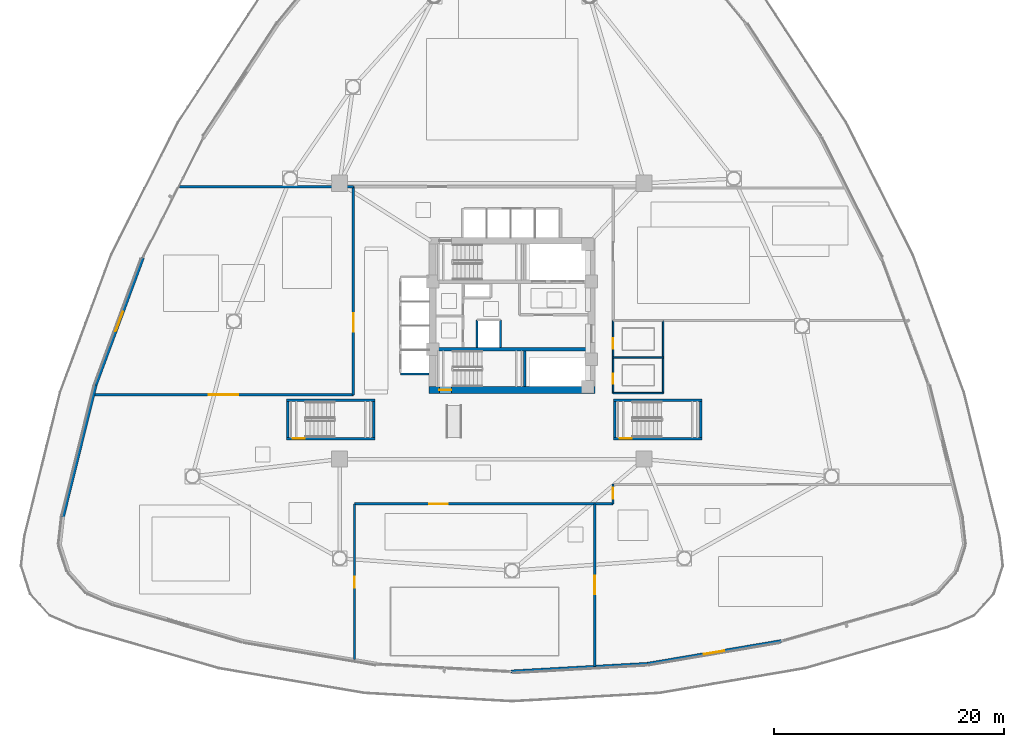
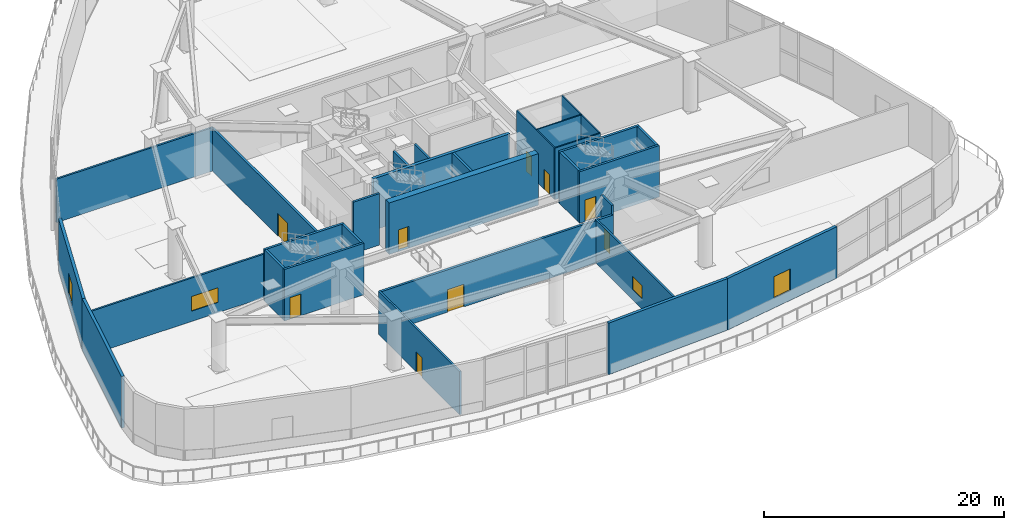
# One storey, part 13 of 26: 29 walls, 9 doors, 4 windows, 13 openings.
"""IFC4 building model written with IfcOpenShell, lengths in metres."""

from ifc_helpers import new_model, si_unit, direction, frame, frame_2d, origin, place, context, subcontext, project, spatial, rectangle, extrude, material, layer, layer_set, type_object, element, fill, save


model = new_model("IFC4")

# Units and contexts
model_context = context("Model", 3, precision=1e-05, world=origin(), true_north=direction((0.0, 1.0)))
body_context = subcontext(model_context, "Body", "Model", "MODEL_VIEW")
ifc_project = project(units=[si_unit("LENGTHUNIT", "METRE"), si_unit("AREAUNIT", "SQUARE_METRE"), si_unit("VOLUMEUNIT", "CUBIC_METRE"), si_unit("PLANEANGLEUNIT", "RADIAN"), si_unit("MASSUNIT", "GRAM", prefix="KILO")], contexts=[model_context])

# Site, building, storey
site_placement = place(None, origin())
site = spatial("IfcSite", under=ifc_project, at=site_placement, CompositionType="ELEMENT")
building_placement = place(site_placement, origin())
building = spatial("IfcBuilding", under=site, at=building_placement, Name="Tavelor Broadcast Tower", CompositionType="ELEMENT")
storey_placement = place(building_placement, frame((0.0, 0.0, 5.800048828125)))
storey = spatial("IfcBuildingStorey", under=building, at=storey_placement, Name="L01", CompositionType="ELEMENT", Elevation=5.800048828125)

# Wall, opening, door
ifc_material_1 = material(Name="Concrete C60/75", Category="concrete")
ifc_layer_1 = layer(ifc_material_1, 0.60009765625)
ifc_layer_set_1 = layer_set([ifc_layer_1], Name="Concrete C60/75")
wall_type_1 = type_object("IfcWallType", Name="Core Shear Wall 600 mm", PredefinedType="SHEAR", material=ifc_layer_set_1)
wall_1_placement = place(storey_placement, frame((42.800048828125, 38.5, 0.0), z_axis=(0.0, 0.0, 1.0), x_axis=(1.0, 0.0, 0.0)))
wall_1 = element("IfcWall", 1, at=wall_1_placement, inside=storey, type_object=wall_type_1, Name="L01 Central Core Shear Wall S", PredefinedType="SHEAR", context=body_context, shape_type="SweptSolid", body=[
    extrude(rectangle(XDim=14.39990234375, YDim=0.60009765625, at=frame_2d((7.199951171875, 0.0))), origin(), (0.0, 0.0, 1.0), 5.25),
])
opening_1_placement = place(wall_1_placement, frame((0.8798828125, 0.0, 0.0)))
opening_1 = element("IfcOpeningElement", 2, at=opening_1_placement, cuts=wall_1, Name="Opening DR11", PredefinedType="OPENING", context=body_context, shape_type="SweptSolid", body=[
    extrude(rectangle(XDim=1.050048828125, YDim=2.199951171875, at=frame_2d((0.52490234375, 1.10009765625))), frame((0.0, 0.31005859375, 0.0), z_axis=(0.0, -1.0, 0.0), x_axis=(1.0, 0.0, 0.0)), (0.0, 0.0, 1.0), 0.6201171875),
])
ifc_material_2 = material(Name="Steel S355", Category="steel")
door_type_1 = type_object("IfcDoorType", Name="Stair Core Fire Escape Door 1050x2200", OperationType="NOTDEFINED", PredefinedType="DOOR", material=ifc_material_2)
door_1_placement = place(opening_1_placement, origin())
door_1 = element("IfcDoor", 3, at=door_1_placement, inside=storey, type_object=door_type_1, Name="L01 Stair ST2 Protected Exit Door", OperationType="SINGLE_SWING_RIGHT", OverallHeight=2.199951171875, OverallWidth=1.050048828125, PredefinedType="DOOR", context=body_context, shape_type="SweptSolid", body=[
    extrude(rectangle(XDim=1.050048828125, YDim=2.199951171875, at=frame_2d((0.52490234375, 1.10009765625))), frame((0.0, 0.02490234375, 0.0), z_axis=(0.0, -1.0, 0.0), x_axis=(1.0, 0.0, 0.0)), (0.0, 0.0, 1.0), 0.050048828125),
])
fill(opening_1, door_1)

# Wall
ifc_layer_2 = layer(ifc_material_1, 0.300048828125)
ifc_layer_set_2 = layer_set([ifc_layer_2], Name="Concrete C60/75")
wall_type_2 = type_object("IfcWallType", Name="Core Spine Shear Wall 300 mm C60", PredefinedType="SHEAR", material=ifc_layer_set_2)
wall_2_placement = place(storey_placement, frame((43.39990234375, 42.050048828125, 0.0), z_axis=(0.0, 0.0, 1.0), x_axis=(1.0, 0.0, 0.0)))
element("IfcWall", 4, at=wall_2_placement, inside=storey, type_object=wall_type_2, Name="L01 Central Core Shear Wall SP2", PredefinedType="SHEAR", context=body_context, shape_type="SweptSolid", body=[
    extrude(rectangle(XDim=13.2001953125, YDim=0.300048828125, at=frame_2d((6.60009765625, 0.0))), origin(), (0.0, 0.0, 1.0), 5.25),
])

# Wall, opening, door
ifc_material_3 = material(Name="Calcium Silicate Fire Board 180 mm", Category="gypsum")
ifc_layer_3 = layer(ifc_material_3, 0.179931640625)
ifc_layer_set_3 = layer_set([ifc_layer_3], Name="Calcium Silicate Fire Board 180 mm")
wall_type_3 = type_object("IfcWallType", Name="Fire-Rated Corridor Partition Wall 180 mm", PredefinedType="PARTITIONING", material=ifc_layer_set_3)
wall_3_placement = place(storey_placement, frame((36.300048828125, 15.05908203125, 0.0), z_axis=(0.0, 0.0, 1.0), x_axis=(0.0, 1.0, 0.0)))
wall_3 = element("IfcWall", 5, at=wall_3_placement, inside=storey, type_object=wall_type_3, Name="L01 South-West Wing Wall", PredefinedType="PARTITIONING", context=body_context, shape_type="SweptSolid", body=[
    extrude(rectangle(XDim=13.541015625, YDim=0.179931640625, at=frame_2d((6.7705078125, 0.0))), origin(), (0.0, 0.0, 1.0), 4.425048828125),
])
opening_2_placement = place(wall_3_placement, frame((6.27001953125, 0.0, 0.0)))
opening_2 = element("IfcOpeningElement", 6, at=opening_2_placement, cuts=wall_3, Name="Opening DR18", PredefinedType="OPENING", context=body_context, shape_type="SweptSolid", body=[
    extrude(rectangle(XDim=0.949951171875, YDim=2.050048828125, at=frame_2d((0.47509765625, 1.02490234375))), frame((0.0, 0.10009765625, 0.0), z_axis=(0.0, -1.0, 0.0), x_axis=(1.0, 0.0, 0.0)), (0.0, 0.0, 1.0), 0.199951171875),
])
ifc_material_4 = material(Name="Timber Solid Core Hardwood", Category="wood")
door_type_2 = type_object("IfcDoorType", Name="Corridor Rated Compartment Door 950x2050", OperationType="NOTDEFINED", PredefinedType="DOOR", material=ifc_material_4)
door_2_placement = place(opening_2_placement, origin())
door_2 = element("IfcDoor", 7, at=door_2_placement, inside=storey, type_object=door_type_2, Name="L01 Satellite Ingest Technical Room Door", OperationType="SINGLE_SWING_RIGHT", OverallHeight=2.050048828125, OverallWidth=0.949951171875, PredefinedType="DOOR", context=body_context, shape_type="SweptSolid", body=[
    extrude(rectangle(XDim=0.949951171875, YDim=2.050048828125, at=frame_2d((0.47509765625, 1.02490234375))), frame((0.0, 0.02490234375, 0.0), z_axis=(0.0, -1.0, 0.0), x_axis=(1.0, 0.0, 0.0)), (0.0, 0.0, 1.0), 0.050048828125),
])
fill(opening_2, door_2)

wall_4_placement = place(storey_placement, frame((58.800048828125, 28.60009765625, 0.0), z_axis=(0.0, 0.0, 1.0), x_axis=(0.0, 1.0, 0.0)))
wall_4 = element("IfcWall", 8, at=wall_4_placement, inside=storey, type_object=wall_type_3, Name="L01 South-East Concourse Door Wall", PredefinedType="PARTITIONING", context=body_context, shape_type="SweptSolid", body=[
    extrude(rectangle(XDim=1.75, YDim=0.179931640625, at=frame_2d((0.875, 0.0))), origin(), (0.0, 0.0, 1.0), 5.25),
])
opening_3_placement = place(wall_4_placement, frame((0.449951171875, 0.0, 0.0)))
opening_3 = element("IfcOpeningElement", 9, at=opening_3_placement, cuts=wall_4, Name="Opening DR18", PredefinedType="OPENING", context=body_context, shape_type="SweptSolid", body=[
    extrude(rectangle(XDim=0.949951171875, YDim=2.050048828125, at=frame_2d((0.47509765625, 1.02490234375))), frame((0.0, 0.10009765625, 0.0), z_axis=(0.0, -1.0, 0.0), x_axis=(1.0, 0.0, 0.0)), (0.0, 0.0, 1.0), 0.199951171875),
])
door_3_placement = place(opening_3_placement, origin())
door_3 = element("IfcDoor", 10, at=door_3_placement, inside=storey, type_object=door_type_2, Name="L01 Line Producer Office Concourse Door", OperationType="SINGLE_SWING_LEFT", OverallHeight=2.050048828125, OverallWidth=0.949951171875, PredefinedType="DOOR", context=body_context, shape_type="SweptSolid", body=[
    extrude(rectangle(XDim=0.949951171875, YDim=2.050048828125, at=frame_2d((0.47509765625, 1.02490234375))), frame((0.0, 0.02490234375, 0.0), z_axis=(0.0, -1.0, 0.0), x_axis=(1.0, 0.0, 0.0)), (0.0, 0.0, 1.0), 0.050048828125),
])
fill(opening_3, door_3)

# Wall, opening, window
wall_5_placement = place(storey_placement, frame((57.199951171875, 14.472412109375, 0.0), z_axis=(0.0, 0.0, 1.0), x_axis=(0.0, 1.0, 0.0)))
wall_5 = element("IfcWall", 11, at=wall_5_placement, inside=storey, type_object=wall_type_3, Name="L01 South-East Wing West Wall", PredefinedType="PARTITIONING", context=body_context, shape_type="SweptSolid", body=[
    extrude(rectangle(XDim=14.127685546875, YDim=0.179931640625, at=frame_2d((7.06396484375, 0.0))), origin(), (0.0, 0.0, 1.0), 4.425048828125),
])
opening_4_placement = place(wall_5_placement, frame((6.263916015625, 0.0, 1.050048828125)))
opening_4 = element("IfcOpeningElement", 12, at=opening_4_placement, cuts=wall_5, Name="Opening WN05", PredefinedType="OPENING", context=body_context, shape_type="SweptSolid", body=[
    extrude(rectangle(XDim=1.60009765625, YDim=1.35009765625, at=frame_2d((0.800048828125, 0.675048828125))), frame((0.0, 0.10009765625, 0.0), z_axis=(0.0, -1.0, 0.0), x_axis=(1.0, 0.0, 0.0)), (0.0, 0.0, 1.0), 0.199951171875),
])
ifc_material_5 = material(Name="Acoustic Double Glazing 28 mm", Category="glass")
window_type_1 = type_object("IfcWindowType", Name="Audio Booth Acoustic Observation Window 1600x1350", PartitioningType="SINGLE_PANEL", PredefinedType="WINDOW", material=ifc_material_5)
window_1_placement = place(opening_4_placement, origin())
window_1 = element("IfcWindow", 13, at=window_1_placement, inside=storey, type_object=window_type_1, Name="L01 Studio Acoustic Observation Window 008", OverallHeight=1.35009765625, OverallWidth=1.60009765625, PartitioningType="SINGLE_PANEL", PredefinedType="WINDOW", context=body_context, shape_type="SweptSolid", body=[
    extrude(rectangle(XDim=1.60009765625, YDim=1.35009765625, at=frame_2d((0.800048828125, 0.675048828125))), frame((0.0, 0.030029296875, 0.0), z_axis=(0.0, -1.0, 0.0), x_axis=(1.0, 0.0, 0.0)), (0.0, 0.0, 1.0), 0.06005859375),
])
fill(opening_4, window_1)

wall_6_placement = place(storey_placement, frame((13.609375, 38.10009765625, 0.0), z_axis=(0.0, 0.0, 1.0), x_axis=(1.0, 0.0, 0.0)))
wall_6 = element("IfcWall", 14, at=wall_6_placement, inside=storey, type_object=wall_type_3, Name="L01 West Hall South Wall", PredefinedType="PARTITIONING", context=body_context, shape_type="SweptSolid", body=[
    extrude(rectangle(XDim=22.590576171875, YDim=0.179931640625, at=frame_2d((11.29541015625, 0.0))), origin(), (0.0, 0.0, 1.0), 4.425048828125),
])
opening_5_placement = place(wall_6_placement, frame((9.995361328125, 0.0, 1.050048828125)))
opening_5 = element("IfcOpeningElement", 15, at=opening_5_placement, cuts=wall_6, Name="Opening WN04", PredefinedType="OPENING", context=body_context, shape_type="SweptSolid", body=[
    extrude(rectangle(XDim=2.60009765625, YDim=1.5, at=frame_2d((1.300048828125, 0.75))), frame((0.0, 0.10009765625, 0.0), z_axis=(0.0, -1.0, 0.0), x_axis=(1.0, 0.0, 0.0)), (0.0, 0.0, 1.0), 0.199951171875),
])
window_type_2 = type_object("IfcWindowType", Name="Studio Control Gallery Triple-Glazed Observation Window 2600x1500", PartitioningType="SINGLE_PANEL", PredefinedType="WINDOW", material=ifc_material_5)
window_2_placement = place(opening_5_placement, origin())
window_2 = element("IfcWindow", 16, at=window_2_placement, inside=storey, type_object=window_type_2, Name="L01 Studio Acoustic Observation Window 009", OverallHeight=1.5, OverallWidth=2.60009765625, PartitioningType="SINGLE_PANEL", PredefinedType="WINDOW", context=body_context, shape_type="SweptSolid", body=[
    extrude(rectangle(XDim=2.60009765625, YDim=1.5, at=frame_2d((1.300048828125, 0.75))), frame((0.0, 0.030029296875, 0.0), z_axis=(0.0, -1.0, 0.0), x_axis=(1.0, 0.0, 0.0)), (0.0, 0.0, 1.0), 0.06005859375),
])
fill(opening_5, window_2)

# Wall
wall_7_placement = place(storey_placement, frame((21.05859375, 56.199951171875, 0.0), z_axis=(0.0, 0.0, 1.0), x_axis=(1.0, 0.0, 0.0)))
element("IfcWall", 17, at=wall_7_placement, inside=storey, type_object=wall_type_3, Name="L01 West Hall North Wall", PredefinedType="PARTITIONING", context=body_context, shape_type="SweptSolid", body=[
    extrude(rectangle(XDim=15.141357421875, YDim=0.179931640625, at=frame_2d((7.57080078125, 0.0))), origin(), (0.0, 0.0, 1.0), 4.425048828125),
])

# Wall, opening, window
ifc_material_6 = material(Name="Precast Concrete C40/50", Category="concrete")
ifc_layer_4 = layer(ifc_material_6, 0.280029296875)
ifc_layer_set_4 = layer_set([ifc_layer_4], Name="Precast Concrete C40/50")
wall_type_4 = type_object("IfcWallType", Name="Insulated Precast Terracotta Facade Wall 280 mm", PredefinedType="STANDARD", material=ifc_layer_set_4)
wall_8_placement = place(storey_placement, frame((17.8955078125, 50.041015625, 0.0), z_axis=(0.0, 0.0, 1.0), x_axis=(-0.347786696803, -0.937573684319, 0.0)))
wall_8 = element("IfcWall", 18, at=wall_8_placement, inside=storey, type_object=wall_type_4, Name="L01 Precast Terracotta Facade Wall 09", PredefinedType="STANDARD", context=body_context, shape_type="SweptSolid", body=[
    extrude(rectangle(XDim=11.866943359375, YDim=0.280029296875, at=frame_2d((5.93359375, 0.0))), origin(), (0.0, 0.0, 1.0), 5.25),
])
opening_6_placement = place(wall_8_placement, frame((5.03369140625, 0.0, 1.0)))
opening_6 = element("IfcOpeningElement", 19, at=opening_6_placement, cuts=wall_8, Name="Opening WN11", PredefinedType="OPENING", context=body_context, shape_type="SweptSolid", body=[
    extrude(rectangle(XDim=1.800048828125, YDim=2.199951171875, at=frame_2d((0.89990234375, 1.10009765625))), frame((0.0, 0.14990234375, 0.0), z_axis=(0.0, -1.0, 0.0), x_axis=(1.0, 0.0, 0.0)), (0.0, 0.0, 1.0), 0.300048828125),
])
window_type_3 = type_object("IfcWindowType", Name="Podium Studio Acoustic Punched Window 1800x2200", PartitioningType="SINGLE_PANEL", PredefinedType="WINDOW", material=ifc_material_5)
window_3_placement = place(opening_6_placement, origin())
window_3 = element("IfcWindow", 20, at=window_3_placement, inside=storey, type_object=window_type_3, Name="L01 Broadcast Facade Window 09", OverallHeight=2.199951171875, OverallWidth=1.800048828125, PartitioningType="SINGLE_PANEL", PredefinedType="WINDOW", context=body_context, shape_type="SweptSolid", body=[
    extrude(rectangle(XDim=1.800048828125, YDim=2.199951171875, at=frame_2d((0.89990234375, 1.10009765625))), frame((0.0, 0.030029296875, 0.0), z_axis=(0.0, -1.0, 0.0), x_axis=(1.0, 0.0, 0.0)), (0.0, 0.0, 1.0), 0.06005859375),
])
fill(opening_6, window_3)

# Walls
wall_9_placement = place(storey_placement, frame((13.777099609375, 38.943359375, 0.0), z_axis=(0.0, 0.0, 1.0), x_axis=(-0.240569487488, -0.970631918747, 0.0)))
element("IfcWall", 21, at=wall_9_placement, inside=storey, type_object=wall_type_4, Name="L01 Precast Terracotta Facade Wall 10", PredefinedType="STANDARD", context=body_context, shape_type="SweptSolid", body=[
    extrude(rectangle(XDim=11.806640625, YDim=0.280029296875, at=frame_2d((5.9033203125, 0.0))), origin(), (0.0, 0.0, 1.0), 5.25),
])
wall_10_placement = place(storey_placement, frame((49.926025390625, 14.023681640625, 0.0), z_axis=(0.0, 0.0, 1.0), x_axis=(0.998425020705, 0.056102388813, 0.0)))
element("IfcWall", 22, at=wall_10_placement, inside=storey, type_object=wall_type_4, Name="L01 Precast Terracotta Facade Wall 18", PredefinedType="STANDARD", context=body_context, shape_type="SweptSolid", body=[
    extrude(rectangle(XDim=11.8671875, YDim=0.280029296875, at=frame_2d((5.93359375, 0.0))), origin(), (0.0, 0.0, 1.0), 5.25),
])

# Wall, opening, window
wall_11_placement = place(storey_placement, frame((61.74462890625, 14.68603515625, 0.0), z_axis=(0.0, 0.0, 1.0), x_axis=(0.985857206306, 0.16758749588, 0.0)))
wall_11 = element("IfcWall", 23, at=wall_11_placement, inside=storey, type_object=wall_type_4, Name="L01 Precast Terracotta Facade Wall 19", PredefinedType="STANDARD", context=body_context, shape_type="SweptSolid", body=[
    extrude(rectangle(XDim=11.866943359375, YDim=0.280029296875, at=frame_2d((5.93359375, 0.0))), origin(), (0.0, 0.0, 1.0), 5.25),
])
opening_7_placement = place(wall_11_placement, frame((5.033447265625, 0.0, 1.0)))
opening_7 = element("IfcOpeningElement", 24, at=opening_7_placement, cuts=wall_11, Name="Opening WN11", PredefinedType="OPENING", context=body_context, shape_type="SweptSolid", body=[
    extrude(rectangle(XDim=1.800048828125, YDim=2.199951171875, at=frame_2d((0.89990234375, 1.10009765625))), frame((0.0, 0.14990234375, 0.0), z_axis=(0.0, -1.0, 0.0), x_axis=(1.0, 0.0, 0.0)), (0.0, 0.0, 1.0), 0.300048828125),
])
window_4_placement = place(opening_7_placement, origin())
window_4 = element("IfcWindow", 25, at=window_4_placement, inside=storey, type_object=window_type_3, Name="L01 Broadcast Facade Window 19", OverallHeight=2.199951171875, OverallWidth=1.800048828125, PartitioningType="SINGLE_PANEL", PredefinedType="WINDOW", context=body_context, shape_type="SweptSolid", body=[
    extrude(rectangle(XDim=1.800048828125, YDim=2.199951171875, at=frame_2d((0.89990234375, 1.10009765625))), frame((0.0, 0.030029296875, 0.0), z_axis=(0.0, -1.0, 0.0), x_axis=(1.0, 0.0, 0.0)), (0.0, 0.0, 1.0), 0.06005859375),
])
fill(opening_7, window_4)

# Walls
ifc_material_7 = material(Name="Concrete Blockwork 200 mm", Category="masonry")
ifc_layer_5 = layer(ifc_material_7, 0.199951171875)
ifc_layer_set_5 = layer_set([ifc_layer_5], Name="Concrete Blockwork 200 mm")
wall_type_5 = type_object("IfcWallType", Name="Lift Hoistway Rated Front Wall 200 mm", PredefinedType="PARTITIONING", material=ifc_layer_set_5)
wall_12_placement = place(storey_placement, frame((49.0, 42.199951171875, 0.0), z_axis=(0.0, 0.0, 1.0), x_axis=(0.0, 1.0, 0.0)))
element("IfcWall", 26, at=wall_12_placement, inside=storey, type_object=wall_type_5, Name="L01 Mid-Rise Lift PLM4 Hoistway Front Wall", PredefinedType="PARTITIONING", context=body_context, shape_type="SweptSolid", body=[
    extrude(rectangle(XDim=2.400146484375, YDim=0.199951171875, at=frame_2d((1.2001953125, 0.0))), origin(), (0.0, 0.0, 1.0), 5.25),
])
ifc_layer_6 = layer(ifc_material_7, 0.199951171875)
ifc_layer_set_6 = layer_set([ifc_layer_6], Name="Concrete Blockwork 200 mm")
wall_type_6 = type_object("IfcWallType", Name="Lift and Riser Shaft Enclosure Wall 200 mm", PredefinedType="PARTITIONING", material=ifc_layer_set_6)
wall_13_placement = place(storey_placement, frame((40.300048828125, 39.89990234375, 0.0), z_axis=(0.0, 0.0, 1.0), x_axis=(1.0, 0.0, 0.0)))
element("IfcWall", 27, at=wall_13_placement, inside=storey, type_object=wall_type_6, Name="L01 Low-Rise Lift Shaft South Wall", PredefinedType="PARTITIONING", context=body_context, shape_type="SweptSolid", body=[
    extrude(rectangle(XDim=2.5, YDim=0.199951171875, at=frame_2d((1.25, 0.0))), origin(), (0.0, 0.0, 1.0), 5.25),
])
wall_14_placement = place(storey_placement, frame((46.949951171875, 42.199951171875, 0.0), z_axis=(0.0, 0.0, 1.0), x_axis=(0.0, 1.0, 0.0)))
element("IfcWall", 28, at=wall_14_placement, inside=storey, type_object=wall_type_6, Name="L01 Mid-Rise Lift PLM4 West Wall", PredefinedType="PARTITIONING", context=body_context, shape_type="SweptSolid", body=[
    extrude(rectangle(XDim=2.400146484375, YDim=0.199951171875, at=frame_2d((1.2001953125, 0.0))), origin(), (0.0, 0.0, 1.0), 5.25),
])

# Wall, openings, doors
ifc_material_8 = material(Name="Moisture-Resistant Plasterboard 120 mm", Category="gypsum")
ifc_layer_7 = layer(ifc_material_8, 0.1201171875)
ifc_layer_set_7 = layer_set([ifc_layer_7], Name="Moisture-Resistant Plasterboard 120 mm")
wall_type_7 = type_object("IfcWallType", Name="Moisture-Resistant Wet-Room Partition 120 mm", PredefinedType="PARTITIONING", material=ifc_layer_set_7)
wall_15_placement = place(storey_placement, frame((58.800048828125, 38.25, 0.0), z_axis=(0.0, 0.0, 1.0), x_axis=(0.0, 1.0, 0.0)))
wall_15 = element("IfcWall", 29, at=wall_15_placement, inside=storey, type_object=wall_type_7, Name="L01 Podium WC West Wall", PredefinedType="PARTITIONING", context=body_context, shape_type="SweptSolid", body=[
    extrude(rectangle(XDim=6.300048828125, YDim=0.1201171875, at=frame_2d((3.14990234375, 0.0))), origin(), (0.0, 0.0, 1.0), 5.25),
])
opening_8_placement = place(wall_15_placement, frame((0.800048828125, 0.0, 0.0)))
opening_8 = element("IfcOpeningElement", 30, at=opening_8_placement, cuts=wall_15, Name="Opening DR32", PredefinedType="OPENING", context=body_context, shape_type="SweptSolid", body=[
    extrude(rectangle(XDim=0.89990234375, YDim=2.050048828125, at=frame_2d((0.449951171875, 1.02490234375))), frame((0.0, 0.070068359375, 0.0), z_axis=(0.0, -1.0, 0.0), x_axis=(1.0, 0.0, 0.0)), (0.0, 0.0, 1.0), 0.14013671875),
])
opening_9_placement = place(wall_15_placement, frame((3.85009765625, 0.0, 0.0)))
opening_9 = element("IfcOpeningElement", 31, at=opening_9_placement, cuts=wall_15, Name="Opening DR32", PredefinedType="OPENING", context=body_context, shape_type="SweptSolid", body=[
    extrude(rectangle(XDim=0.89990234375, YDim=2.050048828125, at=frame_2d((0.449951171875, 1.02490234375))), frame((0.0, 0.070068359375, 0.0), z_axis=(0.0, -1.0, 0.0), x_axis=(1.0, 0.0, 0.0)), (0.0, 0.0, 1.0), 0.14013671875),
])
door_type_3 = type_object("IfcDoorType", Name="Accessible Washroom Door 900x2050", OperationType="NOTDEFINED", PredefinedType="DOOR", material=ifc_material_4)
door_4_placement = place(opening_8_placement, origin())
door_4 = element("IfcDoor", 32, at=door_4_placement, inside=storey, type_object=door_type_3, Name="L01 Public Washroom WC Door", OperationType="SINGLE_SWING_RIGHT", OverallHeight=2.050048828125, OverallWidth=0.89990234375, PredefinedType="DOOR", context=body_context, shape_type="SweptSolid", body=[
    extrude(rectangle(XDim=0.89990234375, YDim=2.050048828125, at=frame_2d((0.449951171875, 1.02490234375))), frame((0.0, 0.02490234375, 0.0), z_axis=(0.0, -1.0, 0.0), x_axis=(1.0, 0.0, 0.0)), (0.0, 0.0, 1.0), 0.050048828125),
])
fill(opening_8, door_4)
door_5_placement = place(opening_9_placement, origin())
door_5 = element("IfcDoor", 33, at=door_5_placement, inside=storey, type_object=door_type_3, Name="L01 Accessible WC Door", OperationType="SINGLE_SWING_LEFT", OverallHeight=2.050048828125, OverallWidth=0.89990234375, PredefinedType="DOOR", context=body_context, shape_type="SweptSolid", body=[
    extrude(rectangle(XDim=0.89990234375, YDim=2.050048828125, at=frame_2d((0.449951171875, 1.02490234375))), frame((0.0, 0.02490234375, 0.0), z_axis=(0.0, -1.0, 0.0), x_axis=(1.0, 0.0, 0.0)), (0.0, 0.0, 1.0), 0.050048828125),
])
fill(opening_9, door_5)

# Walls
for number, where, z_axis, x_axis, name in (
    (34, (58.800048828125, 38.25, 0.0), (0.0, 0.0, 1.0), (1.0, 0.0, 0.0), "L01 Podium WC South Wall"),
    (35, (58.800048828125, 41.35009765625, 0.0), (0.0, 0.0, 1.0), (1.0, 0.0, 0.0), "L01 Podium WC Divider Wall"),
):
    element("IfcWall", number, at=place(storey_placement, frame(where, z_axis=z_axis, x_axis=x_axis)), inside=storey, type_object=wall_type_7, Name=name, PredefinedType="PARTITIONING", context=body_context, shape_type="SweptSolid", body=[
        extrude(rectangle(XDim=4.349853515625, YDim=0.1201171875, at=frame_2d((2.1748046875, 0.0))), origin(), (0.0, 0.0, 1.0), 5.25),
    ])
wall_16_placement = place(storey_placement, frame((63.14990234375, 38.25, 0.0), z_axis=(0.0, 0.0, 1.0), x_axis=(0.0, 1.0, 0.0)))
element("IfcWall", 36, at=wall_16_placement, inside=storey, type_object=wall_type_7, Name="L01 Podium WC East Wall", PredefinedType="PARTITIONING", context=body_context, shape_type="SweptSolid", body=[
    extrude(rectangle(XDim=6.300048828125, YDim=0.1201171875, at=frame_2d((3.14990234375, 0.0))), origin(), (0.0, 0.0, 1.0), 5.25),
])
ifc_material_9 = material(Name="Concrete C40/50", Category="concrete")
ifc_layer_8 = layer(ifc_material_9, 0.219970703125)
ifc_layer_set_8 = layer_set([ifc_layer_8], Name="Concrete C40/50")
wall_type_8 = type_object("IfcWallType", Name="Structural Stairwell Shear Wall 220 mm", PredefinedType="SHEAR", material=ifc_layer_set_8)
wall_17_placement = place(storey_placement, frame((51.110107421875, 38.800048828125, 0.0), z_axis=(0.0, 0.0, 1.0), x_axis=(0.0, 1.0, 0.0)))
element("IfcWall", 37, at=wall_17_placement, inside=storey, type_object=wall_type_8, Name="L01 Stair ST2 Structural Shaft Wall", PredefinedType="SHEAR", context=body_context, shape_type="SweptSolid", body=[
    extrude(rectangle(XDim=3.099853515625, YDim=0.219970703125, at=frame_2d((1.5498046875, 0.0))), origin(), (0.0, 0.0, 1.0), 5.25),
])

# Wall, opening, door
wall_18_placement = place(storey_placement, frame((30.3798828125, 34.2900390625, 0.0), z_axis=(0.0, 0.0, 1.0), x_axis=(1.0, 0.0, 0.0)))
wall_18 = element("IfcWall", 38, at=wall_18_placement, inside=storey, type_object=wall_type_8, Name="L01 Stair ST3 Structural Shaft Wall S", PredefinedType="SHEAR", context=body_context, shape_type="SweptSolid", body=[
    extrude(rectangle(XDim=7.690185546875, YDim=0.219970703125, at=frame_2d((3.84521484375, 0.0))), origin(), (0.0, 0.0, 1.0), 5.25),
])
opening_10_placement = place(wall_18_placement, frame((0.550048828125, 0.0, 0.0)))
opening_10 = element("IfcOpeningElement", 39, at=opening_10_placement, cuts=wall_18, Name="Opening DR11", PredefinedType="OPENING", context=body_context, shape_type="SweptSolid", body=[
    extrude(rectangle(XDim=1.050048828125, YDim=2.199951171875, at=frame_2d((0.52490234375, 1.10009765625))), frame((0.0, 0.1201171875, 0.0), z_axis=(0.0, -1.0, 0.0), x_axis=(1.0, 0.0, 0.0)), (0.0, 0.0, 1.0), 0.239990234375),
])
door_6_placement = place(opening_10_placement, origin())
door_6 = element("IfcDoor", 40, at=door_6_placement, inside=storey, type_object=door_type_1, Name="L01 Stair ST3 Protected Fire Door", OperationType="SINGLE_SWING_RIGHT", OverallHeight=2.199951171875, OverallWidth=1.050048828125, PredefinedType="DOOR", context=body_context, shape_type="SweptSolid", body=[
    extrude(rectangle(XDim=1.050048828125, YDim=2.199951171875, at=frame_2d((0.52490234375, 1.10009765625))), frame((0.0, 0.02490234375, 0.0), z_axis=(0.0, -1.0, 0.0), x_axis=(1.0, 0.0, 0.0)), (0.0, 0.0, 1.0), 0.050048828125),
])
fill(opening_10, door_6)

# Walls
wall_19_placement = place(storey_placement, frame((30.3798828125, 37.610107421875, 0.0), z_axis=(0.0, 0.0, 1.0), x_axis=(1.0, 0.0, 0.0)))
element("IfcWall", 41, at=wall_19_placement, inside=storey, type_object=wall_type_8, Name="L01 Stair ST3 Structural Shaft Wall N", PredefinedType="SHEAR", context=body_context, shape_type="SweptSolid", body=[
    extrude(rectangle(XDim=7.690185546875, YDim=0.219970703125, at=frame_2d((3.84521484375, 0.0))), origin(), (0.0, 0.0, 1.0), 5.25),
])
for number, where, z_axis, x_axis, name in (
    (42, (37.9599609375, 34.39990234375, 0.0), (0.0, 0.0, 1.0), (0.0, 1.0, 0.0), "L01 Stair ST3 Structural Shaft Wall E"),
    (43, (30.489990234375, 34.39990234375, 0.0), (0.0, 0.0, 1.0), (0.0, 1.0, 0.0), "L01 Stair ST3 Structural Shaft Wall W"),
):
    element("IfcWall", number, at=place(storey_placement, frame(where, z_axis=z_axis, x_axis=x_axis)), inside=storey, type_object=wall_type_8, Name=name, PredefinedType="SHEAR", context=body_context, shape_type="SweptSolid", body=[
        extrude(rectangle(XDim=3.10009765625, YDim=0.219970703125, at=frame_2d((1.550048828125, 0.0))), origin(), (0.0, 0.0, 1.0), 5.25),
    ])

# Wall, opening, door
wall_20_placement = place(storey_placement, frame((58.830078125, 34.2900390625, 0.0), z_axis=(0.0, 0.0, 1.0), x_axis=(1.0, 0.0, 0.0)))
wall_20 = element("IfcWall", 44, at=wall_20_placement, inside=storey, type_object=wall_type_8, Name="L01 Stair ST4 Structural Shaft Wall S", PredefinedType="SHEAR", context=body_context, shape_type="SweptSolid", body=[
    extrude(rectangle(XDim=7.68994140625, YDim=0.219970703125, at=frame_2d((3.844970703125, 0.0))), origin(), (0.0, 0.0, 1.0), 5.25),
])
opening_11_placement = place(wall_20_placement, frame((0.550048828125, 0.0, 0.0)))
opening_11 = element("IfcOpeningElement", 45, at=opening_11_placement, cuts=wall_20, Name="Opening DR11", PredefinedType="OPENING", context=body_context, shape_type="SweptSolid", body=[
    extrude(rectangle(XDim=1.050048828125, YDim=2.199951171875, at=frame_2d((0.52490234375, 1.10009765625))), frame((0.0, 0.1201171875, 0.0), z_axis=(0.0, -1.0, 0.0), x_axis=(1.0, 0.0, 0.0)), (0.0, 0.0, 1.0), 0.239990234375),
])
door_7_placement = place(opening_11_placement, origin())
door_7 = element("IfcDoor", 46, at=door_7_placement, inside=storey, type_object=door_type_1, Name="L01 Stair ST4 Protected Fire Door", OperationType="SINGLE_SWING_RIGHT", OverallHeight=2.199951171875, OverallWidth=1.050048828125, PredefinedType="DOOR", context=body_context, shape_type="SweptSolid", body=[
    extrude(rectangle(XDim=1.050048828125, YDim=2.199951171875, at=frame_2d((0.52490234375, 1.10009765625))), frame((0.0, 0.02490234375, 0.0), z_axis=(0.0, -1.0, 0.0), x_axis=(1.0, 0.0, 0.0)), (0.0, 0.0, 1.0), 0.050048828125),
])
fill(opening_11, door_7)

# Walls
wall_21_placement = place(storey_placement, frame((58.830078125, 37.610107421875, 0.0), z_axis=(0.0, 0.0, 1.0), x_axis=(1.0, 0.0, 0.0)))
element("IfcWall", 47, at=wall_21_placement, inside=storey, type_object=wall_type_8, Name="L01 Stair ST4 Structural Shaft Wall N", PredefinedType="SHEAR", context=body_context, shape_type="SweptSolid", body=[
    extrude(rectangle(XDim=7.68994140625, YDim=0.219970703125, at=frame_2d((3.844970703125, 0.0))), origin(), (0.0, 0.0, 1.0), 5.25),
])
for number, where, z_axis, x_axis, name in (
    (48, (66.409912109375, 34.39990234375, 0.0), (0.0, 0.0, 1.0), (0.0, 1.0, 0.0), "L01 Stair ST4 Structural Shaft Wall E"),
    (49, (58.93994140625, 34.39990234375, 0.0), (0.0, 0.0, 1.0), (0.0, 1.0, 0.0), "L01 Stair ST4 Structural Shaft Wall W"),
):
    element("IfcWall", number, at=place(storey_placement, frame(where, z_axis=z_axis, x_axis=x_axis)), inside=storey, type_object=wall_type_8, Name=name, PredefinedType="SHEAR", context=body_context, shape_type="SweptSolid", body=[
        extrude(rectangle(XDim=3.10009765625, YDim=0.219970703125, at=frame_2d((1.550048828125, 0.0))), origin(), (0.0, 0.0, 1.0), 5.25),
    ])

# Wall, opening, door
ifc_material_10 = material(Name="Masonry Blockwork 220 mm", Category="masonry")
ifc_layer_9 = layer(ifc_material_10, 0.219970703125)
ifc_layer_set_9 = layer_set([ifc_layer_9], Name="Masonry Blockwork 220 mm")
wall_type_9 = type_object("IfcWallType", Name="Studio Double-Leaf Acoustic Isolation Wall 220 mm", PredefinedType="PARTITIONING", material=ifc_layer_set_9)
wall_22_placement = place(storey_placement, frame((36.300048828125, 28.60009765625, 0.0), z_axis=(0.0, 0.0, 1.0), x_axis=(1.0, 0.0, 0.0)))
wall_22 = element("IfcWall", 50, at=wall_22_placement, inside=storey, type_object=wall_type_9, Name="L01 South Studio Concourse Wall", PredefinedType="PARTITIONING", context=body_context, shape_type="SweptSolid", body=[
    extrude(rectangle(XDim=22.5, YDim=0.219970703125, at=frame_2d((11.25, 0.0))), origin(), (0.0, 0.0, 1.0), 4.324951171875),
])
opening_12_placement = place(wall_22_placement, frame((6.5, 0.0, 0.0)))
opening_12 = element("IfcOpeningElement", 51, at=opening_12_placement, cuts=wall_22, Name="Opening DR27", PredefinedType="OPENING", context=body_context, shape_type="SweptSolid", body=[
    extrude(rectangle(XDim=1.60009765625, YDim=2.300048828125, at=frame_2d((0.800048828125, 1.14990234375))), frame((0.0, 0.1201171875, 0.0), z_axis=(0.0, -1.0, 0.0), x_axis=(1.0, 0.0, 0.0)), (0.0, 0.0, 1.0), 0.239990234375),
])
ifc_material_11 = material(Name="Steel Acoustic Composite", Category="steel")
door_type_4 = type_object("IfcDoorType", Name="Studio Acoustic Sound-Lock Double Door 1600x2300", OperationType="NOTDEFINED", PredefinedType="DOOR", material=ifc_material_11)
door_8_placement = place(opening_12_placement, origin())
door_8 = element("IfcDoor", 52, at=door_8_placement, inside=storey, type_object=door_type_4, Name="L01 Television Production Studio B Door", OperationType="SINGLE_SWING_LEFT", OverallHeight=2.300048828125, OverallWidth=1.60009765625, PredefinedType="DOOR", context=body_context, shape_type="SweptSolid", body=[
    extrude(rectangle(XDim=1.60009765625, YDim=2.300048828125, at=frame_2d((0.800048828125, 1.14990234375))), frame((0.0, 0.02490234375, 0.0), z_axis=(0.0, -1.0, 0.0), x_axis=(1.0, 0.0, 0.0)), (0.0, 0.0, 1.0), 0.050048828125),
])
fill(opening_12, door_8)

wall_23_placement = place(storey_placement, frame((36.199951171875, 38.10009765625, 0.0), z_axis=(0.0, 0.0, 1.0), x_axis=(0.0, 1.0, 0.0)))
wall_23 = element("IfcWall", 53, at=wall_23_placement, inside=storey, type_object=wall_type_9, Name="L01 West Hall Concourse Wall", PredefinedType="PARTITIONING", context=body_context, shape_type="SweptSolid", body=[
    extrude(rectangle(XDim=18.099853515625, YDim=0.219970703125, at=frame_2d((9.0498046875, 0.0))), origin(), (0.0, 0.0, 1.0), 4.324951171875),
])
opening_13_placement = place(wall_23_placement, frame((5.5, 0.0, 0.0)))
opening_13 = element("IfcOpeningElement", 54, at=opening_13_placement, cuts=wall_23, Name="Opening DR27", PredefinedType="OPENING", context=body_context, shape_type="SweptSolid", body=[
    extrude(rectangle(XDim=1.60009765625, YDim=2.300048828125, at=frame_2d((0.800048828125, 1.14990234375))), frame((0.0, 0.1201171875, 0.0), z_axis=(0.0, -1.0, 0.0), x_axis=(1.0, 0.0, 0.0)), (0.0, 0.0, 1.0), 0.239990234375),
])
door_9_placement = place(opening_13_placement, origin())
door_9 = element("IfcDoor", 55, at=door_9_placement, inside=storey, type_object=door_type_4, Name="L01 Live Newsroom Broadcast Desk Door", OperationType="SINGLE_SWING_LEFT", OverallHeight=2.300048828125, OverallWidth=1.60009765625, PredefinedType="DOOR", context=body_context, shape_type="SweptSolid", body=[
    extrude(rectangle(XDim=1.60009765625, YDim=2.300048828125, at=frame_2d((0.800048828125, 1.14990234375))), frame((0.0, 0.02490234375, 0.0), z_axis=(0.0, -1.0, 0.0), x_axis=(1.0, 0.0, 0.0)), (0.0, 0.0, 1.0), 0.050048828125),
])
fill(opening_13, door_9)

save(model, "model.ifc")
